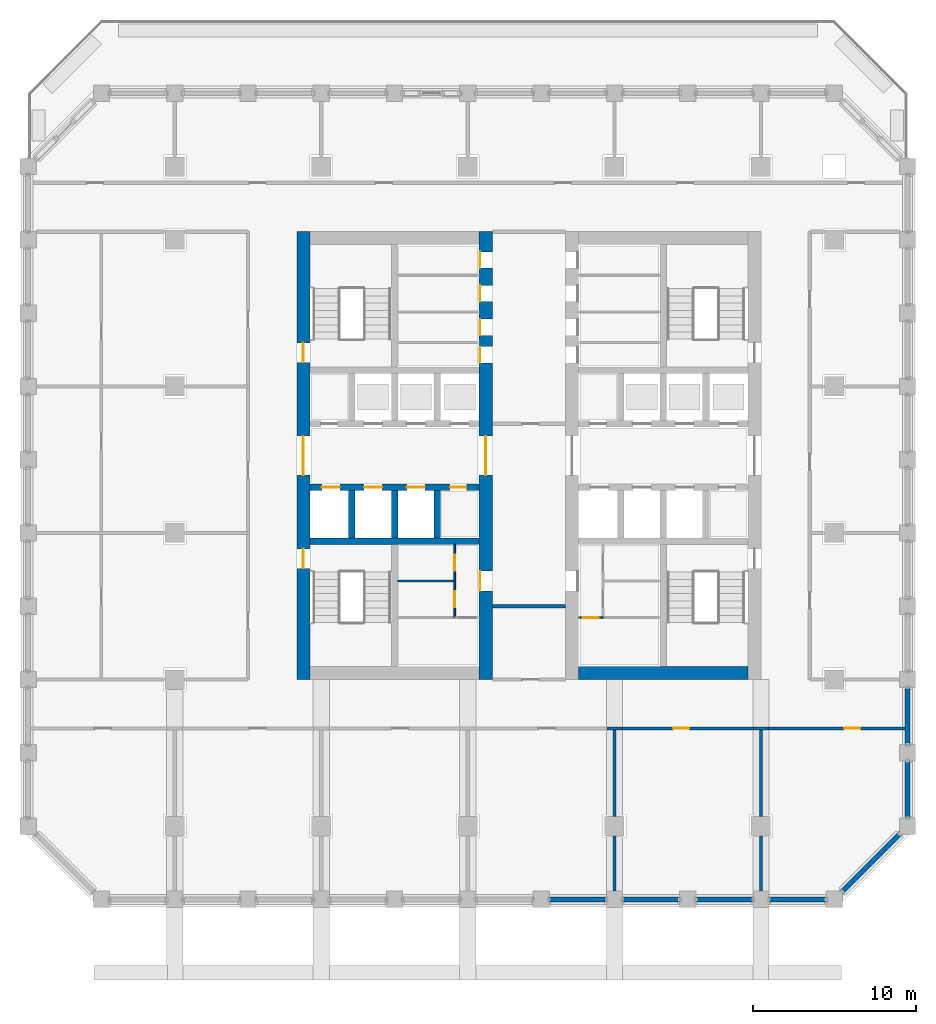
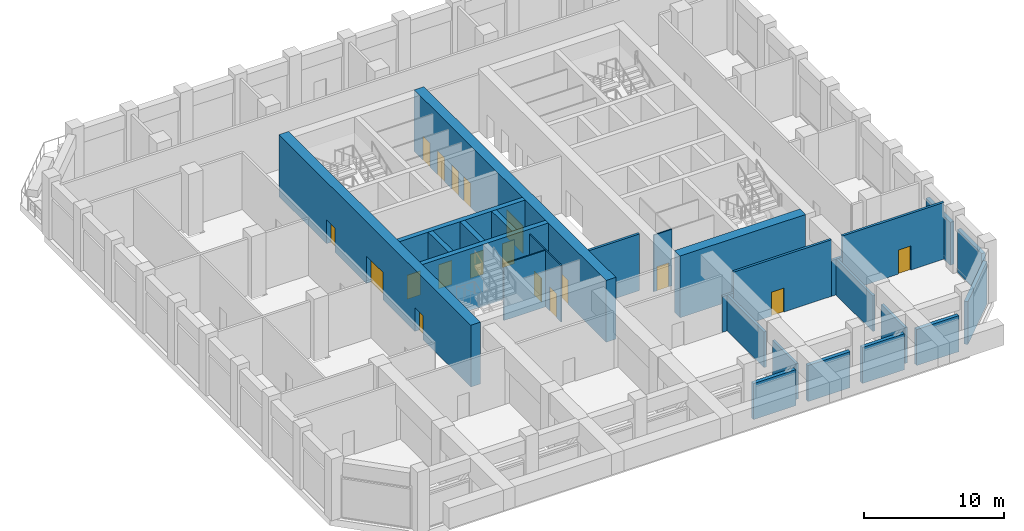
# One storey, part 4 of 20: 28 walls, 18 doors, 18 openings.
"""IFC4 building model written with IfcOpenShell, lengths in metres."""

from ifc_helpers import new_model, si_unit, direction, frame, frame_2d, origin, place, context, subcontext, project, spatial, rectangle, extrude, material, layer, layer_set, type_object, element, fill, save


model = new_model("IFC4")

# Units and contexts
model_context = context("Model", 3, precision=1e-05, world=origin(), true_north=direction((0.0, 1.0)))
body_context = subcontext(model_context, "Body", "Model", "MODEL_VIEW")
ifc_project = project(units=[si_unit("LENGTHUNIT", "METRE"), si_unit("AREAUNIT", "SQUARE_METRE"), si_unit("VOLUMEUNIT", "CUBIC_METRE"), si_unit("PLANEANGLEUNIT", "RADIAN"), si_unit("MASSUNIT", "GRAM", prefix="KILO")], contexts=[model_context])

# Site, building, storey
site_placement = place(None, origin())
site = spatial("IfcSite", under=ifc_project, at=site_placement, CompositionType="ELEMENT")
building_placement = place(site_placement, origin())
building = spatial("IfcBuilding", under=site, at=building_placement, Name="Corbel Stack Research Tower", CompositionType="ELEMENT")
storey_placement = place(building_placement, frame((0.0, 0.0, 151.39990234375)))
storey = spatial("IfcBuildingStorey", under=building, at=storey_placement, Name="L34", CompositionType="ELEMENT", Elevation=151.39990234375)

# Wall
ifc_material_1 = material(Name="Concrete C60/75", Category="concrete")
ifc_layer_1 = layer(ifc_material_1, 0.39990234375)
ifc_layer_set_1 = layer_set([ifc_layer_1], Name="Concrete C60/75")
wall_type_1 = type_object("IfcWallType", Name="CW-400-60", PredefinedType="SHEAR", material=ifc_layer_set_1)
wall_1_placement = place(storey_placement, frame((-9.699951171875, -0.5, 0.0), z_axis=(0.0, 0.0, 1.0), x_axis=(1.0, 0.0, 0.0)))
element("IfcWall", 1, at=wall_1_placement, inside=storey, type_object=wall_type_1, Name="West core wall, south row back L34", PredefinedType="SHEAR", context=body_context, shape_type="SweptSolid", body=[
    extrude(rectangle(XDim=10.39990234375, YDim=0.39990234375, at=frame_2d((5.199951171875, 0.0))), origin(), (0.0, 0.0, 1.0), 5.400146484375),
])

# Wall, openings, doors
wall_2_placement = place(storey_placement, frame((-9.699951171875, 2.800048828125, 0.0), z_axis=(0.0, 0.0, 1.0), x_axis=(1.0, 0.0, 0.0)))
wall_2 = element("IfcWall", 2, at=wall_2_placement, inside=storey, type_object=wall_type_1, Name="West core wall, lobby south L34", PredefinedType="SHEAR", context=body_context, shape_type="SweptSolid", body=[
    extrude(rectangle(XDim=10.39990234375, YDim=0.39990234375, at=frame_2d((5.199951171875, 0.0))), origin(), (0.0, 0.0, 1.0), 5.400146484375),
])
opening_1_placement = place(wall_2_placement, frame((0.737548828125, 0.0, 0.0)))
opening_1 = element("IfcOpeningElement", 3, at=opening_1_placement, cuts=wall_2, Name="Opening LD-FS1", PredefinedType="OPENING", context=body_context, shape_type="SweptSolid", body=[
    extrude(rectangle(XDim=1.10009765625, YDim=2.10009765625, at=frame_2d((0.550048828125, 1.050048828125))), frame((0.0, 0.2099609375, 0.0), z_axis=(0.0, -1.0, 0.0), x_axis=(1.0, 0.0, 0.0)), (0.0, 0.0, 1.0), 0.419921875),
])
opening_2_placement = place(wall_2_placement, frame((3.33740234375, 0.0, 0.0)))
opening_2 = element("IfcOpeningElement", 4, at=opening_2_placement, cuts=wall_2, Name="Opening LD-GL1", PredefinedType="OPENING", context=body_context, shape_type="SweptSolid", body=[
    extrude(rectangle(XDim=1.10009765625, YDim=2.10009765625, at=frame_2d((0.550048828125, 1.050048828125))), frame((0.0, 0.2099609375, 0.0), z_axis=(0.0, -1.0, 0.0), x_axis=(1.0, 0.0, 0.0)), (0.0, 0.0, 1.0), 0.419921875),
])
opening_3_placement = place(wall_2_placement, frame((5.96240234375, 0.0, 0.0)))
opening_3 = element("IfcOpeningElement", 5, at=opening_3_placement, cuts=wall_2, Name="Opening LD-SH1", PredefinedType="OPENING", context=body_context, shape_type="SweptSolid", body=[
    extrude(rectangle(XDim=1.10009765625, YDim=2.10009765625, at=frame_2d((0.550048828125, 1.050048828125))), frame((0.0, 0.2099609375, 0.0), z_axis=(0.0, -1.0, 0.0), x_axis=(1.0, 0.0, 0.0)), (0.0, 0.0, 1.0), 0.419921875),
])
opening_4_placement = place(wall_2_placement, frame((8.612548828125, 0.0, 0.0)))
opening_4 = element("IfcOpeningElement", 6, at=opening_4_placement, cuts=wall_2, Name="Opening CR-W66-S4", PredefinedType="OPENING", context=body_context, shape_type="SweptSolid", body=[
    extrude(rectangle(XDim=1.0, YDim=2.10009765625, at=frame_2d((0.5, 1.050048828125))), frame((0.0, 0.2099609375, 0.0), z_axis=(0.0, -1.0, 0.0), x_axis=(1.0, 0.0, 0.0)), (0.0, 0.0, 1.0), 0.419921875),
])
ifc_material_2 = material(Name="Stainless steel landing door", Category="steel")
door_type_1 = type_object("IfcDoorType", Name="Lift landing door 1100 x 2100", OperationType="DOUBLE_DOOR_SLIDING", PredefinedType="DOOR", material=ifc_material_2)
door_1_placement = place(opening_1_placement, origin())
door_1 = element("IfcDoor", 7, at=door_1_placement, inside=storey, type_object=door_type_1, Name="Landing door FS1", OperationType="DOUBLE_DOOR_SLIDING", OverallHeight=2.10009765625, OverallWidth=1.10009765625, PredefinedType="DOOR", context=body_context, shape_type="SweptSolid", body=[
    extrude(rectangle(XDim=1.10009765625, YDim=2.10009765625, at=frame_2d((0.550048828125, 1.050048828125))), frame((0.0, 0.02490234375, 0.0), z_axis=(0.0, -1.0, 0.0), x_axis=(1.0, 0.0, 0.0)), (0.0, 0.0, 1.0), 0.050048828125),
])
fill(opening_1, door_1)
door_2_placement = place(opening_2_placement, origin())
door_2 = element("IfcDoor", 8, at=door_2_placement, inside=storey, type_object=door_type_1, Name="Landing door GL1", OperationType="DOUBLE_DOOR_SLIDING", OverallHeight=2.10009765625, OverallWidth=1.10009765625, PredefinedType="DOOR", context=body_context, shape_type="SweptSolid", body=[
    extrude(rectangle(XDim=1.10009765625, YDim=2.10009765625, at=frame_2d((0.550048828125, 1.050048828125))), frame((0.0, 0.02490234375, 0.0), z_axis=(0.0, -1.0, 0.0), x_axis=(1.0, 0.0, 0.0)), (0.0, 0.0, 1.0), 0.050048828125),
])
fill(opening_2, door_2)
door_3_placement = place(opening_3_placement, origin())
door_3 = element("IfcDoor", 9, at=door_3_placement, inside=storey, type_object=door_type_1, Name="Landing door SH1", OperationType="DOUBLE_DOOR_SLIDING", OverallHeight=2.10009765625, OverallWidth=1.10009765625, PredefinedType="DOOR", context=body_context, shape_type="SweptSolid", body=[
    extrude(rectangle(XDim=1.10009765625, YDim=2.10009765625, at=frame_2d((0.550048828125, 1.050048828125))), frame((0.0, 0.02490234375, 0.0), z_axis=(0.0, -1.0, 0.0), x_axis=(1.0, 0.0, 0.0)), (0.0, 0.0, 1.0), 0.050048828125),
])
fill(opening_3, door_3)
ifc_material_3 = material(Name="Painted steel door", Category="steel")
door_type_2 = type_object("IfcDoorType", Name="Service door 1000 x 2100 FD60 right hand", OperationType="SINGLE_SWING_RIGHT", PredefinedType="DOOR", material=ifc_material_3)
door_4_placement = place(opening_4_placement, origin())
door_4 = element("IfcDoor", 10, at=door_4_placement, inside=storey, type_object=door_type_2, Name="Staff WC door W core", OperationType="SINGLE_SWING_RIGHT", OverallHeight=2.10009765625, OverallWidth=1.0, PredefinedType="DOOR", context=body_context, shape_type="SweptSolid", body=[
    extrude(rectangle(XDim=1.0, YDim=2.10009765625, at=frame_2d((0.5, 1.050048828125))), frame((0.0, 0.02490234375, 0.0), z_axis=(0.0, -1.0, 0.0), x_axis=(1.0, 0.0, 0.0)), (0.0, 0.0, 1.0), 0.050048828125),
])
fill(opening_4, door_4)

# Walls
for number, where, z_axis, x_axis, name in (
    (11, (-7.125, -0.300048828125, 0.0), (0.0, 0.0, 1.0), (0.0, 1.0, 0.0), "West core wall, south shaft 1 L34"),
    (12, (-4.5, -0.300048828125, 0.0), (0.0, 0.0, 1.0), (0.0, 1.0, 0.0), "West core wall, south shaft 2 L34"),
    (13, (-1.875, -0.300048828125, 0.0), (0.0, 0.0, 1.0), (0.0, 1.0, 0.0), "West core wall, south shaft 3 L34"),
):
    element("IfcWall", number, at=place(storey_placement, frame(where, z_axis=z_axis, x_axis=x_axis)), inside=storey, type_object=wall_type_1, Name=name, PredefinedType="SHEAR", context=body_context, shape_type="SweptSolid", body=[
        extrude(rectangle(XDim=2.900146484375, YDim=0.39990234375, at=frame_2d((1.4501953125, 0.0))), origin(), (0.0, 0.0, 1.0), 5.400146484375),
    ])

# Wall, openings, doors
ifc_material_4 = material(Name="Concrete C60/75", Category="concrete")
ifc_layer_2 = layer(ifc_material_4, 0.800048828125)
ifc_layer_set_2 = layer_set([ifc_layer_2], Name="Concrete C60/75")
wall_type_2 = type_object("IfcWallType", Name="CW-800-60", PredefinedType="SHEAR", material=ifc_layer_set_2)
wall_3_placement = place(storey_placement, frame((-10.10009765625, -9.0, 0.0), z_axis=(0.0, 0.0, 1.0), x_axis=(0.0, 1.0, 0.0)))
wall_3 = element("IfcWall", 14, at=wall_3_placement, inside=storey, type_object=wall_type_2, Name="West core wall, west face L34", PredefinedType="SHEAR", context=body_context, shape_type="SweptSolid", body=[
    extrude(rectangle(XDim=27.5, YDim=0.800048828125, at=frame_2d((13.75, 0.0))), origin(), (0.0, 0.0, 1.0), 5.400146484375),
])
opening_5_placement = place(wall_3_placement, frame((12.550048828125, 0.0, 0.0)))
opening_5 = element("IfcOpeningElement", 15, at=opening_5_placement, cuts=wall_3, Name="Opening CD-W-W", PredefinedType="OPENING", context=body_context, shape_type="SweptSolid", body=[
    extrude(rectangle(XDim=2.39990234375, YDim=2.39990234375, at=frame_2d((1.199951171875, 1.199951171875))), frame((0.0, 0.409912109375, 0.0), z_axis=(0.0, -1.0, 0.0), x_axis=(1.0, 0.0, 0.0)), (0.0, 0.0, 1.0), 0.820068359375),
])
opening_6_placement = place(wall_3_placement, frame((6.824951171875, 0.0, 0.0)))
opening_6 = element("IfcOpeningElement", 16, at=opening_6_placement, cuts=wall_3, Name="Opening SD-ST-W1", PredefinedType="OPENING", context=body_context, shape_type="SweptSolid", body=[
    extrude(rectangle(XDim=1.199951171875, YDim=2.10009765625, at=frame_2d((0.60009765625, 1.050048828125))), frame((0.0, 0.409912109375, 0.0), z_axis=(0.0, -1.0, 0.0), x_axis=(1.0, 0.0, 0.0)), (0.0, 0.0, 1.0), 0.820068359375),
])
opening_7_placement = place(wall_3_placement, frame((19.47509765625, 0.0, 0.0)))
opening_7 = element("IfcOpeningElement", 17, at=opening_7_placement, cuts=wall_3, Name="Opening SD-ST-W2", PredefinedType="OPENING", context=body_context, shape_type="SweptSolid", body=[
    extrude(rectangle(XDim=1.199951171875, YDim=2.10009765625, at=frame_2d((0.60009765625, 1.050048828125))), frame((0.0, 0.409912109375, 0.0), z_axis=(0.0, -1.0, 0.0), x_axis=(1.0, 0.0, 0.0)), (0.0, 0.0, 1.0), 0.820068359375),
])
ifc_material_5 = material(Name="Painted steel fire door", Category="steel")
door_type_3 = type_object("IfcDoorType", Name="Lobby door pair 2400 x 2400 FD30S", OperationType="DOUBLE_DOOR_DOUBLE_SWING", PredefinedType="DOOR", material=ifc_material_5)
door_5_placement = place(opening_5_placement, origin())
door_5 = element("IfcDoor", 18, at=door_5_placement, inside=storey, type_object=door_type_3, Name="Lift lobby door W core W", OperationType="DOUBLE_DOOR_DOUBLE_SWING", OverallHeight=2.39990234375, OverallWidth=2.39990234375, PredefinedType="DOOR", context=body_context, shape_type="SweptSolid", body=[
    extrude(rectangle(XDim=2.39990234375, YDim=2.39990234375, at=frame_2d((1.199951171875, 1.199951171875))), frame((0.0, 0.02490234375, 0.0), z_axis=(0.0, -1.0, 0.0), x_axis=(1.0, 0.0, 0.0)), (0.0, 0.0, 1.0), 0.050048828125),
])
fill(opening_5, door_5)
ifc_material_6 = material(Name="Painted steel fire door", Category="steel")
door_type_4 = type_object("IfcDoorType", Name="Stair door 1200 x 2100 FD90 left hand", OperationType="SINGLE_SWING_LEFT", PredefinedType="DOOR", material=ifc_material_6)
door_6_placement = place(opening_6_placement, origin())
door_6 = element("IfcDoor", 19, at=door_6_placement, inside=storey, type_object=door_type_4, Name="Stair door ST-W1", OperationType="SINGLE_SWING_LEFT", OverallHeight=2.10009765625, OverallWidth=1.199951171875, PredefinedType="DOOR", context=body_context, shape_type="SweptSolid", body=[
    extrude(rectangle(XDim=1.199951171875, YDim=2.10009765625, at=frame_2d((0.60009765625, 1.050048828125))), frame((0.0, 0.02490234375, 0.0), z_axis=(0.0, -1.0, 0.0), x_axis=(1.0, 0.0, 0.0)), (0.0, 0.0, 1.0), 0.050048828125),
])
fill(opening_6, door_6)
door_7_placement = place(opening_7_placement, origin())
door_7 = element("IfcDoor", 20, at=door_7_placement, inside=storey, type_object=door_type_4, Name="Stair door ST-W2", OperationType="SINGLE_SWING_LEFT", OverallHeight=2.10009765625, OverallWidth=1.199951171875, PredefinedType="DOOR", context=body_context, shape_type="SweptSolid", body=[
    extrude(rectangle(XDim=1.199951171875, YDim=2.10009765625, at=frame_2d((0.60009765625, 1.050048828125))), frame((0.0, 0.02490234375, 0.0), z_axis=(0.0, -1.0, 0.0), x_axis=(1.0, 0.0, 0.0)), (0.0, 0.0, 1.0), 0.050048828125),
])
fill(opening_7, door_7)

wall_4_placement = place(storey_placement, frame((1.10009765625, -9.0, 0.0), z_axis=(0.0, 0.0, 1.0), x_axis=(0.0, 1.0, 0.0)))
wall_4 = element("IfcWall", 21, at=wall_4_placement, inside=storey, type_object=wall_type_2, Name="West core wall, east face L34", PredefinedType="SHEAR", context=body_context, shape_type="SweptSolid", body=[
    extrude(rectangle(XDim=27.5, YDim=0.800048828125, at=frame_2d((13.75, 0.0))), origin(), (0.0, 0.0, 1.0), 5.400146484375),
])
opening_8_placement = place(wall_4_placement, frame((12.550048828125, 0.0, 0.0)))
opening_8 = element("IfcOpeningElement", 22, at=opening_8_placement, cuts=wall_4, Name="Opening CD-W-E", PredefinedType="OPENING", context=body_context, shape_type="SweptSolid", body=[
    extrude(rectangle(XDim=2.39990234375, YDim=2.39990234375, at=frame_2d((1.199951171875, 1.199951171875))), frame((0.0, 0.409912109375, 0.0), z_axis=(0.0, -1.0, 0.0), x_axis=(1.0, 0.0, 0.0)), (0.0, 0.0, 1.0), 0.820068359375),
])
opening_9_placement = place(wall_4_placement, frame((5.449951171875, 0.0, 0.0)))
opening_9 = element("IfcOpeningElement", 23, at=opening_9_placement, cuts=wall_4, Name="Opening CR-W66-W1-1200", PredefinedType="OPENING", context=body_context, shape_type="SweptSolid", body=[
    extrude(rectangle(XDim=1.199951171875, YDim=2.10009765625, at=frame_2d((0.60009765625, 1.050048828125))), frame((0.0, 0.409912109375, 0.0), z_axis=(0.0, -1.0, 0.0), x_axis=(1.0, 0.0, 0.0)), (0.0, 0.0, 1.0), 0.820068359375),
])
opening_10_placement = place(wall_4_placement, frame((19.449951171875, 0.0, 0.0)))
opening_10 = element("IfcOpeningElement", 24, at=opening_10_placement, cuts=wall_4, Name="Opening CR-W66-R1-1000", PredefinedType="OPENING", context=body_context, shape_type="SweptSolid", body=[
    extrude(rectangle(XDim=1.0, YDim=2.10009765625, at=frame_2d((0.5, 1.050048828125))), frame((0.0, 0.409912109375, 0.0), z_axis=(0.0, -1.0, 0.0), x_axis=(1.0, 0.0, 0.0)), (0.0, 0.0, 1.0), 0.820068359375),
])
opening_11_placement = place(wall_4_placement, frame((21.137451171875, 0.0, 0.0)))
opening_11 = element("IfcOpeningElement", 25, at=opening_11_placement, cuts=wall_4, Name="Opening CR-W66-R2-1000", PredefinedType="OPENING", context=body_context, shape_type="SweptSolid", body=[
    extrude(rectangle(XDim=1.0, YDim=2.10009765625, at=frame_2d((0.5, 1.050048828125))), frame((0.0, 0.409912109375, 0.0), z_axis=(0.0, -1.0, 0.0), x_axis=(1.0, 0.0, 0.0)), (0.0, 0.0, 1.0), 0.820068359375),
])
opening_12_placement = place(wall_4_placement, frame((23.199951171875, 0.0, 0.0)))
opening_12 = element("IfcOpeningElement", 26, at=opening_12_placement, cuts=wall_4, Name="Opening CR-W66-R3-1000", PredefinedType="OPENING", context=body_context, shape_type="SweptSolid", body=[
    extrude(rectangle(XDim=1.0, YDim=2.10009765625, at=frame_2d((0.5, 1.050048828125))), frame((0.0, 0.409912109375, 0.0), z_axis=(0.0, -1.0, 0.0), x_axis=(1.0, 0.0, 0.0)), (0.0, 0.0, 1.0), 0.820068359375),
])
opening_13_placement = place(wall_4_placement, frame((25.262451171875, 0.0, 0.0)))
opening_13 = element("IfcOpeningElement", 27, at=opening_13_placement, cuts=wall_4, Name="Opening CR-W66-R4-1000", PredefinedType="OPENING", context=body_context, shape_type="SweptSolid", body=[
    extrude(rectangle(XDim=1.0, YDim=2.10009765625, at=frame_2d((0.5, 1.050048828125))), frame((0.0, 0.409912109375, 0.0), z_axis=(0.0, -1.0, 0.0), x_axis=(1.0, 0.0, 0.0)), (0.0, 0.0, 1.0), 0.820068359375),
])
door_8_placement = place(opening_8_placement, origin())
door_8 = element("IfcDoor", 28, at=door_8_placement, inside=storey, type_object=door_type_3, Name="Lift lobby door W core E", OperationType="DOUBLE_DOOR_DOUBLE_SWING", OverallHeight=2.39990234375, OverallWidth=2.39990234375, PredefinedType="DOOR", context=body_context, shape_type="SweptSolid", body=[
    extrude(rectangle(XDim=2.39990234375, YDim=2.39990234375, at=frame_2d((1.199951171875, 1.199951171875))), frame((0.0, 0.02490234375, 0.0), z_axis=(0.0, -1.0, 0.0), x_axis=(1.0, 0.0, 0.0)), (0.0, 0.0, 1.0), 0.050048828125),
])
fill(opening_8, door_8)
ifc_material_7 = material(Name="Painted steel door", Category="steel")
door_type_5 = type_object("IfcDoorType", Name="Riser door 1000 x 2100 FD60 left hand", OperationType="SINGLE_SWING_LEFT", PredefinedType="DOOR", material=ifc_material_7)
door_9_placement = place(opening_10_placement, origin())
door_9 = element("IfcDoor", 29, at=door_9_placement, inside=storey, type_object=door_type_5, Name="Electrical plant riser door W core", OperationType="SINGLE_SWING_LEFT", OverallHeight=2.10009765625, OverallWidth=1.0, PredefinedType="DOOR", context=body_context, shape_type="SweptSolid", body=[
    extrude(rectangle(XDim=1.0, YDim=2.10009765625, at=frame_2d((0.5, 1.050048828125))), frame((0.0, 0.375, 0.0), z_axis=(0.0, -1.0, 0.0), x_axis=(1.0, 0.0, 0.0)), (0.0, 0.0, 1.0), 0.050048828125),
])
fill(opening_10, door_9)
ifc_material_8 = material(Name="Painted steel door", Category="steel")
door_type_6 = type_object("IfcDoorType", Name="Riser door 1000 x 2100 FD60 right hand", OperationType="SINGLE_SWING_RIGHT", PredefinedType="DOOR", material=ifc_material_8)
door_10_placement = place(opening_11_placement, origin())
door_10 = element("IfcDoor", 30, at=door_10_placement, inside=storey, type_object=door_type_6, Name="Telecom plant room door W core", OperationType="SINGLE_SWING_RIGHT", OverallHeight=2.10009765625, OverallWidth=1.0, PredefinedType="DOOR", context=body_context, shape_type="SweptSolid", body=[
    extrude(rectangle(XDim=1.0, YDim=2.10009765625, at=frame_2d((0.5, 1.050048828125))), frame((0.0, 0.375, 0.0), z_axis=(0.0, -1.0, 0.0), x_axis=(1.0, 0.0, 0.0)), (0.0, 0.0, 1.0), 0.050048828125),
])
fill(opening_11, door_10)
ifc_material_9 = material(Name="Painted steel door", Category="steel")
door_type_7 = type_object("IfcDoorType", Name="Service door 1000 x 2100 FD30 left hand", OperationType="SINGLE_SWING_LEFT", PredefinedType="DOOR", material=ifc_material_9)
door_11_placement = place(opening_12_placement, origin())
door_11 = element("IfcDoor", 31, at=door_11_placement, inside=storey, type_object=door_type_7, Name="Pantry door W core", OperationType="SINGLE_SWING_LEFT", OverallHeight=2.10009765625, OverallWidth=1.0, PredefinedType="DOOR", context=body_context, shape_type="SweptSolid", body=[
    extrude(rectangle(XDim=1.0, YDim=2.10009765625, at=frame_2d((0.5, 1.050048828125))), frame((0.0, 0.375, 0.0), z_axis=(0.0, -1.0, 0.0), x_axis=(1.0, 0.0, 0.0)), (0.0, 0.0, 1.0), 0.050048828125),
])
fill(opening_12, door_11)
ifc_material_10 = material(Name="Painted steel door", Category="steel")
door_type_8 = type_object("IfcDoorType", Name="Service door 1000 x 2100 FD30 right hand", OperationType="SINGLE_SWING_RIGHT", PredefinedType="DOOR", material=ifc_material_10)
door_12_placement = place(opening_13_placement, origin())
door_12 = element("IfcDoor", 32, at=door_12_placement, inside=storey, type_object=door_type_8, Name="Cleaner's store door W core", OperationType="SINGLE_SWING_RIGHT", OverallHeight=2.10009765625, OverallWidth=1.0, PredefinedType="DOOR", context=body_context, shape_type="SweptSolid", body=[
    extrude(rectangle(XDim=1.0, YDim=2.10009765625, at=frame_2d((0.5, 1.050048828125))), frame((0.0, 0.375, 0.0), z_axis=(0.0, -1.0, 0.0), x_axis=(1.0, 0.0, 0.0)), (0.0, 0.0, 1.0), 0.050048828125),
])
fill(opening_13, door_12)
ifc_material_11 = material(Name="Painted timber door", Category="wood")
door_type_9 = type_object("IfcDoorType", Name="WC door 1200 x 2100 left hand", OperationType="SINGLE_SWING_LEFT", PredefinedType="DOOR", material=ifc_material_11)
door_13_placement = place(opening_9_placement, origin())
door_13 = element("IfcDoor", 33, at=door_13_placement, inside=storey, type_object=door_type_9, Name="WC lobby door W core", OperationType="SINGLE_SWING_LEFT", OverallHeight=2.10009765625, OverallWidth=1.199951171875, PredefinedType="DOOR", context=body_context, shape_type="SweptSolid", body=[
    extrude(rectangle(XDim=1.199951171875, YDim=2.10009765625, at=frame_2d((0.60009765625, 1.050048828125))), frame((0.0, 0.375, 0.0), z_axis=(0.0, -1.0, 0.0), x_axis=(1.0, 0.0, 0.0)), (0.0, 0.0, 1.0), 0.050048828125),
])
fill(opening_9, door_13)

# Wall
wall_5_placement = place(storey_placement, frame((6.800048828125, -8.60009765625, 0.0), z_axis=(0.0, 0.0, 1.0), x_axis=(1.0, 0.0, 0.0)))
element("IfcWall", 34, at=wall_5_placement, inside=storey, type_object=wall_type_2, Name="East core wall, south end L34", PredefinedType="SHEAR", context=body_context, shape_type="SweptSolid", body=[
    extrude(rectangle(XDim=10.39990234375, YDim=0.800048828125, at=frame_2d((5.199951171875, 0.0))), origin(), (0.0, 0.0, 1.0), 5.400146484375),
])

# Wall, opening, door
ifc_material_12 = material(Name="Gypsum board")
ifc_layer_3 = layer(ifc_material_12, 0.10009765625)
ifc_layer_set_3 = layer_set([ifc_layer_3], Name="Gypsum board")
wall_type_3 = type_object("IfcWallType", Name="Core partition 100", PredefinedType="PARTITIONING", material=ifc_layer_set_3)
wall_6_placement = place(storey_placement, frame((-0.800048828125, -5.199951171875, 0.0), z_axis=(0.0, 0.0, 1.0), x_axis=(0.0, 1.0, 0.0)))
wall_6 = element("IfcWall", 35, at=wall_6_placement, inside=storey, type_object=wall_type_3, Name="Core partition W", PredefinedType="PARTITIONING", context=body_context, shape_type="SweptSolid", body=[
    extrude(rectangle(XDim=2.25, YDim=0.10009765625, at=frame_2d((1.125, 0.0))), origin(), (0.0, 0.0, 1.0), 4.9501953125),
])
opening_14_placement = place(wall_6_placement, frame((0.625, 0.0, 0.0)))
opening_14 = element("IfcOpeningElement", 36, at=opening_14_placement, cuts=wall_6, Name="Opening CR-W66-W3-1000", PredefinedType="OPENING", context=body_context, shape_type="SweptSolid", body=[
    extrude(rectangle(XDim=1.0, YDim=2.10009765625, at=frame_2d((0.5, 1.050048828125))), frame((0.0, 0.06005859375, 0.0), z_axis=(0.0, -1.0, 0.0), x_axis=(1.0, 0.0, 0.0)), (0.0, 0.0, 1.0), 0.1201171875),
])
ifc_material_13 = material(Name="Painted timber door", Category="wood")
door_type_10 = type_object("IfcDoorType", Name="WC door 1000 x 2100 left hand", OperationType="SINGLE_SWING_LEFT", PredefinedType="DOOR", material=ifc_material_13)
door_14_placement = place(opening_14_placement, origin())
door_14 = element("IfcDoor", 37, at=door_14_placement, inside=storey, type_object=door_type_10, Name="Men's WC door W core", OperationType="SINGLE_SWING_LEFT", OverallHeight=2.10009765625, OverallWidth=1.0, PredefinedType="DOOR", context=body_context, shape_type="SweptSolid", body=[
    extrude(rectangle(XDim=1.0, YDim=2.10009765625, at=frame_2d((0.5, 1.050048828125))), frame((0.0, 0.02490234375, 0.0), z_axis=(0.0, -1.0, 0.0), x_axis=(1.0, 0.0, 0.0)), (0.0, 0.0, 1.0), 0.050048828125),
])
fill(opening_14, door_14)

wall_7_placement = place(storey_placement, frame((-0.800048828125, -2.949951171875, 0.0), z_axis=(0.0, 0.0, 1.0), x_axis=(0.0, 1.0, 0.0)))
wall_7 = element("IfcWall", 38, at=wall_7_placement, inside=storey, type_object=wall_type_3, Name="Core partition W", PredefinedType="PARTITIONING", context=body_context, shape_type="SweptSolid", body=[
    extrude(rectangle(XDim=2.25, YDim=0.10009765625, at=frame_2d((1.125, 0.0))), origin(), (0.0, 0.0, 1.0), 4.9501953125),
])
opening_15_placement = place(wall_7_placement, frame((0.625, 0.0, 0.0)))
opening_15 = element("IfcOpeningElement", 39, at=opening_15_placement, cuts=wall_7, Name="Opening CR-W66-W4-1000", PredefinedType="OPENING", context=body_context, shape_type="SweptSolid", body=[
    extrude(rectangle(XDim=1.0, YDim=2.10009765625, at=frame_2d((0.5, 1.050048828125))), frame((0.0, 0.06005859375, 0.0), z_axis=(0.0, -1.0, 0.0), x_axis=(1.0, 0.0, 0.0)), (0.0, 0.0, 1.0), 0.1201171875),
])
ifc_material_14 = material(Name="Painted timber door", Category="wood")
door_type_11 = type_object("IfcDoorType", Name="WC door 1000 x 2100 right hand", OperationType="SINGLE_SWING_RIGHT", PredefinedType="DOOR", material=ifc_material_14)
door_15_placement = place(opening_15_placement, origin())
door_15 = element("IfcDoor", 40, at=door_15_placement, inside=storey, type_object=door_type_11, Name="Women's WC door W core", OperationType="SINGLE_SWING_RIGHT", OverallHeight=2.10009765625, OverallWidth=1.0, PredefinedType="DOOR", context=body_context, shape_type="SweptSolid", body=[
    extrude(rectangle(XDim=1.0, YDim=2.10009765625, at=frame_2d((0.5, 1.050048828125))), frame((0.0, 0.02490234375, 0.0), z_axis=(0.0, -1.0, 0.0), x_axis=(1.0, 0.0, 0.0)), (0.0, 0.0, 1.0), 0.050048828125),
])
fill(opening_15, door_15)

# Wall
wall_8_placement = place(storey_placement, frame((-4.300048828125, -2.949951171875, 0.0), z_axis=(0.0, 0.0, 1.0), x_axis=(1.0, 0.0, 0.0)))
element("IfcWall", 41, at=wall_8_placement, inside=storey, type_object=wall_type_3, Name="Core partition W", PredefinedType="PARTITIONING", context=body_context, shape_type="SweptSolid", body=[
    extrude(rectangle(XDim=3.5, YDim=0.10009765625, at=frame_2d((1.75, 0.0))), origin(), (0.0, 0.0, 1.0), 4.9501953125),
])

# Wall, opening, door
wall_9_placement = place(storey_placement, frame((6.800048828125, -5.199951171875, 0.0), z_axis=(0.0, 0.0, 1.0), x_axis=(1.0, 0.0, 0.0)))
wall_9 = element("IfcWall", 42, at=wall_9_placement, inside=storey, type_object=wall_type_3, Name="Core partition E", PredefinedType="PARTITIONING", context=body_context, shape_type="SweptSolid", body=[
    extrude(rectangle(XDim=1.5, YDim=0.10009765625, at=frame_2d((0.75, 0.0))), origin(), (0.0, 0.0, 1.0), 4.9501953125),
])
opening_16_placement = place(wall_9_placement, frame((0.25, 0.0, 0.0)))
opening_16 = element("IfcOpeningElement", 43, at=opening_16_placement, cuts=wall_9, Name="Opening CR-E66-W2-1000", PredefinedType="OPENING", context=body_context, shape_type="SweptSolid", body=[
    extrude(rectangle(XDim=1.0, YDim=2.10009765625, at=frame_2d((0.5, 1.050048828125))), frame((0.0, 0.06005859375, 0.0), z_axis=(0.0, -1.0, 0.0), x_axis=(1.0, 0.0, 0.0)), (0.0, 0.0, 1.0), 0.1201171875),
])
door_16_placement = place(opening_16_placement, origin())
door_16 = element("IfcDoor", 44, at=door_16_placement, inside=storey, type_object=door_type_10, Name="Accessible WC door E core", OperationType="SINGLE_SWING_LEFT", OverallHeight=2.10009765625, OverallWidth=1.0, PredefinedType="DOOR", context=body_context, shape_type="SweptSolid", body=[
    extrude(rectangle(XDim=1.0, YDim=2.10009765625, at=frame_2d((0.5, 1.050048828125))), frame((0.0, 0.02490234375, 0.0), z_axis=(0.0, -1.0, 0.0), x_axis=(1.0, 0.0, 0.0)), (0.0, 0.0, 1.0), 0.050048828125),
])
fill(opening_16, door_16)

# Walls
ifc_material_15 = material(Name="Fire-rated gypsum board partition on steel studs", Category="steel")
ifc_layer_4 = layer(ifc_material_15, 0.199951171875)
ifc_layer_set_4 = layer_set([ifc_layer_4], Name="Fire-rated gypsum board partition on steel studs")
wall_type_4 = type_object("IfcWallType", Name="Fire-rated partition 200 EI 60", PredefinedType="PARTITIONING", material=ifc_layer_set_4)
wall_10_placement = place(storey_placement, frame((9.0, -22.0, 0.0), z_axis=(0.0, 0.0, 1.0), x_axis=(0.0, 1.0, 0.0)))
element("IfcWall", 45, at=wall_10_placement, inside=storey, type_object=wall_type_4, Name="Partition L34-012", PredefinedType="PARTITIONING", context=body_context, shape_type="SweptSolid", body=[
    extrude(rectangle(XDim=3.39990234375, YDim=0.199951171875, at=frame_2d((1.699951171875, 0.0))), origin(), (0.0, 0.0, 1.0), 3.1201171875),
])
wall_11_placement = place(storey_placement, frame((9.0, -17.39990234375, 0.0), z_axis=(0.0, 0.0, 1.0), x_axis=(0.0, 1.0, 0.0)))
element("IfcWall", 46, at=wall_11_placement, inside=storey, type_object=wall_type_4, Name="Partition L34-013", PredefinedType="PARTITIONING", context=body_context, shape_type="SweptSolid", body=[
    extrude(rectangle(XDim=5.39990234375, YDim=0.199951171875, at=frame_2d((2.699951171875, 0.0))), origin(), (0.0, 0.0, 1.0), 3.1201171875),
])
wall_12_placement = place(storey_placement, frame((18.0, -22.0, 0.0), z_axis=(0.0, 0.0, 1.0), x_axis=(0.0, 1.0, 0.0)))
element("IfcWall", 47, at=wall_12_placement, inside=storey, type_object=wall_type_4, Name="Partition L34-015", PredefinedType="PARTITIONING", context=body_context, shape_type="SweptSolid", body=[
    extrude(rectangle(XDim=3.39990234375, YDim=0.199951171875, at=frame_2d((1.699951171875, 0.0))), origin(), (0.0, 0.0, 1.0), 3.1201171875),
])
wall_13_placement = place(storey_placement, frame((18.0, -17.39990234375, 0.0), z_axis=(0.0, 0.0, 1.0), x_axis=(0.0, 1.0, 0.0)))
element("IfcWall", 48, at=wall_13_placement, inside=storey, type_object=wall_type_4, Name="Partition L34-016", PredefinedType="PARTITIONING", context=body_context, shape_type="SweptSolid", body=[
    extrude(rectangle(XDim=5.39990234375, YDim=0.199951171875, at=frame_2d((2.699951171875, 0.0))), origin(), (0.0, 0.0, 1.0), 3.1201171875),
])
wall_14_placement = place(storey_placement, frame((8.550048828125, -12.0, 0.0), z_axis=(0.0, 0.0, 1.0), x_axis=(1.0, 0.0, 0.0)))
element("IfcWall", 49, at=wall_14_placement, inside=storey, type_object=wall_type_4, Name="Partition L34-026", PredefinedType="PARTITIONING", context=body_context, shape_type="SweptSolid", body=[
    extrude(rectangle(XDim=0.89990234375, YDim=0.199951171875, at=frame_2d((0.449951171875, 0.0))), origin(), (0.0, 0.0, 1.0), 3.1201171875),
])

# Wall, opening, door
wall_15_placement = place(storey_placement, frame((17.550048828125, -12.0, 0.0), z_axis=(0.0, 0.0, 1.0), x_axis=(-1.0, 0.0, 0.0)))
wall_15 = element("IfcWall", 50, at=wall_15_placement, inside=storey, type_object=wall_type_4, Name="Partition L34-027", PredefinedType="PARTITIONING", context=body_context, shape_type="SweptSolid", body=[
    extrude(rectangle(XDim=8.10009765625, YDim=0.199951171875, at=frame_2d((4.050048828125, 0.0))), origin(), (0.0, 0.0, 1.0), 4.9501953125),
])
opening_17_placement = place(wall_15_placement, frame((3.949951171875, 0.0, 0.0)))
opening_17 = element("IfcOpeningElement", 51, at=opening_17_placement, cuts=wall_15, Name="Opening PLANTL34-011", PredefinedType="OPENING", context=body_context, shape_type="SweptSolid", body=[
    extrude(rectangle(XDim=1.0, YDim=2.10009765625, at=frame_2d((0.5, 1.050048828125))), frame((0.0, 0.10986328125, 0.0), z_axis=(0.0, -1.0, 0.0), x_axis=(1.0, 0.0, 0.0)), (0.0, 0.0, 1.0), 0.219970703125),
])
ifc_material_16 = material(Name="Painted steel fire door", Category="steel")
door_type_12 = type_object("IfcDoorType", Name="Fire door FD30S 1000 x 2100", OperationType="NOTDEFINED", PredefinedType="DOOR", material=ifc_material_16)
door_17_placement = place(opening_17_placement, origin())
door_17 = element("IfcDoor", 52, at=door_17_placement, inside=storey, type_object=door_type_12, Name="Door PLANTL34-011", OperationType="SINGLE_SWING_RIGHT", OverallHeight=2.10009765625, OverallWidth=1.0, PredefinedType="DOOR", context=body_context, shape_type="SweptSolid", body=[
    extrude(rectangle(XDim=1.0, YDim=2.10009765625, at=frame_2d((0.5, 1.050048828125))), frame((0.0, 0.02490234375, 0.0), z_axis=(0.0, -1.0, 0.0), x_axis=(1.0, 0.0, 0.0)), (0.0, 0.0, 1.0), 0.050048828125),
])
fill(opening_17, door_17)

# Wall
wall_16_placement = place(storey_placement, frame((17.550048828125, -12.0, 0.0), z_axis=(0.0, 0.0, 1.0), x_axis=(1.0, 0.0, 0.0)))
element("IfcWall", 53, at=wall_16_placement, inside=storey, type_object=wall_type_4, Name="Partition L34-028", PredefinedType="PARTITIONING", context=body_context, shape_type="SweptSolid", body=[
    extrude(rectangle(XDim=0.89990234375, YDim=0.199951171875, at=frame_2d((0.449951171875, 0.0))), origin(), (0.0, 0.0, 1.0), 3.1201171875),
])

# Wall, opening, door
wall_17_placement = place(storey_placement, frame((26.85009765625, -12.0, 0.0), z_axis=(0.0, 0.0, 1.0), x_axis=(-1.0, 0.0, 0.0)))
wall_17 = element("IfcWall", 54, at=wall_17_placement, inside=storey, type_object=wall_type_4, Name="Partition L34-029", PredefinedType="PARTITIONING", context=body_context, shape_type="SweptSolid", body=[
    extrude(rectangle(XDim=8.400146484375, YDim=0.199951171875, at=frame_2d((4.2001953125, 0.0))), origin(), (0.0, 0.0, 1.0), 4.9501953125),
])
opening_18_placement = place(wall_17_placement, frame((2.75, 0.0, 0.0)))
opening_18 = element("IfcOpeningElement", 55, at=opening_18_placement, cuts=wall_17, Name="Opening PLANTL34-012", PredefinedType="OPENING", context=body_context, shape_type="SweptSolid", body=[
    extrude(rectangle(XDim=1.0, YDim=2.10009765625, at=frame_2d((0.5, 1.050048828125))), frame((0.0, 0.10986328125, 0.0), z_axis=(0.0, -1.0, 0.0), x_axis=(1.0, 0.0, 0.0)), (0.0, 0.0, 1.0), 0.219970703125),
])
door_18_placement = place(opening_18_placement, origin())
door_18 = element("IfcDoor", 56, at=door_18_placement, inside=storey, type_object=door_type_12, Name="Door PLANTL34-012", OperationType="SINGLE_SWING_LEFT", OverallHeight=2.10009765625, OverallWidth=1.0, PredefinedType="DOOR", context=body_context, shape_type="SweptSolid", body=[
    extrude(rectangle(XDim=1.0, YDim=2.10009765625, at=frame_2d((0.5, 1.050048828125))), frame((0.0, 0.02490234375, 0.0), z_axis=(0.0, -1.0, 0.0), x_axis=(1.0, 0.0, 0.0)), (0.0, 0.0, 1.0), 0.050048828125),
])
fill(opening_18, door_18)

# Walls
wall_18_placement = place(storey_placement, frame((1.5, -4.5, 0.0), z_axis=(0.0, 0.0, 1.0), x_axis=(1.0, 0.0, 0.0)))
element("IfcWall", 57, at=wall_18_placement, inside=storey, type_object=wall_type_4, Name="Partition L34-035", PredefinedType="PARTITIONING", context=body_context, shape_type="SweptSolid", body=[
    extrude(rectangle(XDim=4.5, YDim=0.199951171875, at=frame_2d((2.25, 0.0))), origin(), (0.0, 0.0, 1.0), 4.9501953125),
])
ifc_material_17 = material(Name="Concrete C45/55", Category="concrete")
ifc_layer_5 = layer(ifc_material_17, 0.300048828125)
ifc_layer_set_5 = layer_set([ifc_layer_5], Name="Concrete C45/55")
wall_type_5 = type_object("IfcWallType", Name="Terracotta-faced concrete wall 300", PredefinedType="SOLIDWALL", material=ifc_layer_set_5)
for number, where, z_axis, x_axis, name in (
    (58, (8.5, -22.5, 0.0), (0.0, 0.0, 1.0), (-1.0, 0.0, 0.0), "Facade wall L34 S07"),
    (59, (13.0, -22.5, 0.0), (0.0, 0.0, 1.0), (-1.0, 0.0, 0.0), "Facade wall L34 S08"),
    (60, (17.5, -22.5, 0.0), (0.0, 0.0, 1.0), (-1.0, 0.0, 0.0), "Facade wall L34 S09"),
    (61, (22.0, -22.5, 0.0), (0.0, 0.0, 1.0), (-1.0, 0.0, 0.0), "Facade wall L34 S10"),
):
    element("IfcWall", number, at=place(storey_placement, frame(where, z_axis=z_axis, x_axis=x_axis)), inside=storey, type_object=wall_type_5, Name=name, PredefinedType="SOLIDWALL", context=body_context, shape_type="SweptSolid", body=[
        extrude(rectangle(XDim=3.5, YDim=0.300048828125, at=frame_2d((1.75, 0.0))), origin(), (0.0, 0.0, 1.0), 3.150146484375),
    ])
wall_19_placement = place(storey_placement, frame((26.606201171875, -18.393798828125, 0.0), z_axis=(0.0, 0.0, 1.0), x_axis=(-0.707106781187, -0.707106781187, 0.0)))
element("IfcWall", 62, at=wall_19_placement, inside=storey, type_object=wall_type_5, Name="Facade wall L34 SE01", PredefinedType="SOLIDWALL", context=body_context, shape_type="SweptSolid", body=[
    extrude(rectangle(XDim=5.250244140625, YDim=0.300048828125, at=frame_2d((2.625, 0.0))), origin(), (0.0, 0.0, 1.0), 3.75),
])
for number, where, z_axis, x_axis, name in (
    (63, (27.0, -14.0, 0.0), (0.0, 0.0, 1.0), (0.0, -1.0, 0.0), "Facade wall L34 E01"),
    (64, (27.0, -9.5, 0.0), (0.0, 0.0, 1.0), (0.0, -1.0, 0.0), "Facade wall L34 E02"),
):
    element("IfcWall", number, at=place(storey_placement, frame(where, z_axis=z_axis, x_axis=x_axis)), inside=storey, type_object=wall_type_5, Name=name, PredefinedType="SOLIDWALL", context=body_context, shape_type="SweptSolid", body=[
        extrude(rectangle(XDim=3.5, YDim=0.300048828125, at=frame_2d((1.75, 0.0))), origin(), (0.0, 0.0, 1.0), 3.75),
    ])

save(model, "model.ifc")
